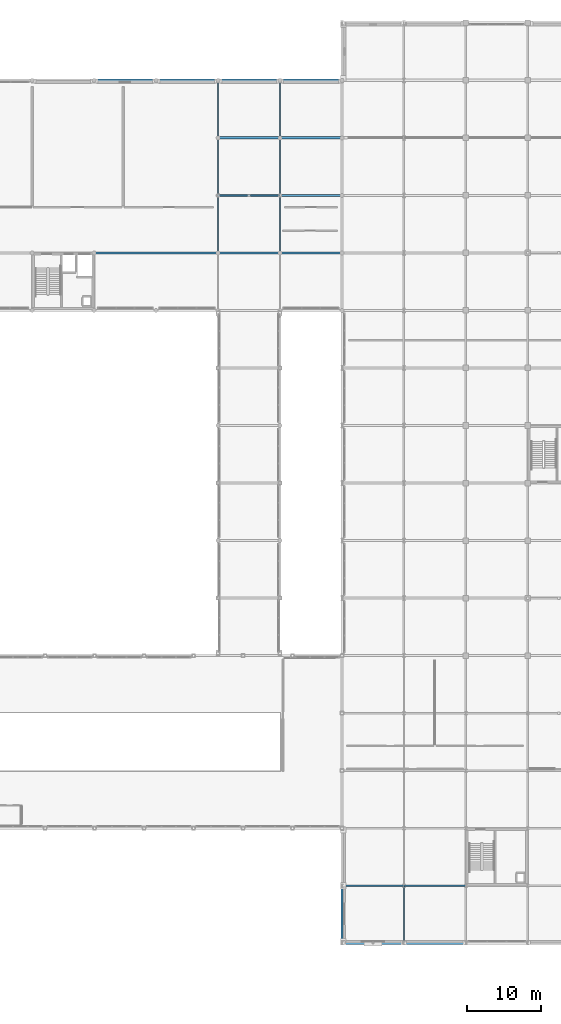
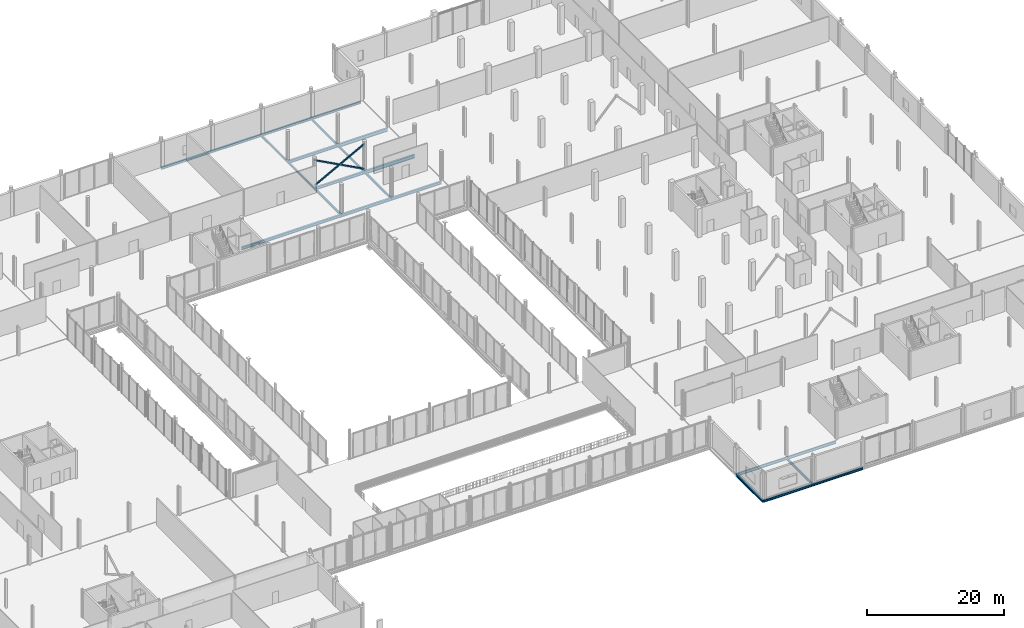
# One storey, part 52 of 105: 23 beams, 3 members.
"""IFC4 building model written with IfcOpenShell, lengths in metres."""

import ifcopenshell
import ifcopenshell.guid

model = None  # the IFC model being written
_history = None  # IfcOwnerHistory: only IFC2X3 demands one
_inside = {}  # id of a spatial element -> (the spatial element, [elements in it])
_under = {}  # id of a project, library or spatial element -> (it, [spatial elements below it])
_declared = {}  # id of a project -> (the project, [libraries it declares])
_typed = {}  # id of a type object -> (the type object, [elements of that type])
_made_of = {}  # id of a material, layer set ... -> (it, [elements and type objects made of it])


def new_model(schema):
    """Start an empty IFC model of exactly this schema.

    Asked for "IFC4X3", IfcOpenShell would pick the latest addendum, in which some entities
    have other attributes; the version numbers below select the first issue.
    IFC2X3 requires an IfcOwnerHistory on every rooted entity: one is made here for all.
    """
    global model, _history
    if schema == "IFC4X3":
        model = ifcopenshell.file(schema_version=(4, 3, 0, 0))
    else:
        model = ifcopenshell.file(schema=schema)
    _inside.clear()
    _under.clear()
    _declared.clear()
    _typed.clear()
    _made_of.clear()
    _history = None
    if model.schema == "IFC2X3":
        org = make("IfcOrganization", Name="unknown")
        user = make(
            "IfcPersonAndOrganization",
            ThePerson=make("IfcPerson", FamilyName="unknown"),
            TheOrganization=org,
        )
        app = make(
            "IfcApplication",
            ApplicationDeveloper=org,
            Version="unknown",
            ApplicationFullName="unknown",
            ApplicationIdentifier="unknown",
        )
        _history = make(
            "IfcOwnerHistory",
            OwningUser=user,
            OwningApplication=app,
            ChangeAction="ADDED",
            CreationDate=0,
        )
    return model


def make(cls, **values):
    """One entity of the class cls with the attributes given. An attribute that is None is left unset."""
    return model.create_entity(
        cls, **{name: value for name, value in values.items() if value is not None}
    )


def rooted(cls, **values):
    """An entity with a GlobalId (a new one), such as an element, a storey or a relation."""
    return make(cls, GlobalId=ifcopenshell.guid.new(), OwnerHistory=_history, **values)


def si_unit(unit_type, name, prefix=None):
    """IfcSIUnit, for example si_unit("LENGTHUNIT", "METRE", prefix="MILLI")."""
    return make("IfcSIUnit", UnitType=unit_type, Prefix=prefix, Name=name)


def assignment(units):
    """IfcUnitAssignment: the units of a project."""
    return None if units is None else make("IfcUnitAssignment", Units=units)


def point(xyz):
    """IfcCartesianPoint."""
    return None if xyz is None else make("IfcCartesianPoint", Coordinates=xyz)


def direction(xyz):
    """IfcDirection."""
    return None if xyz is None else make("IfcDirection", DirectionRatios=xyz)


def frame(location, z_axis=None, x_axis=None):
    """IfcAxis2Placement3D, a coordinate frame: its origin and axes. An axis left out is left unset."""
    return make(
        "IfcAxis2Placement3D",
        Location=point(location),
        Axis=direction(z_axis),
        RefDirection=direction(x_axis),
    )


def frame_2d(location, x_axis=None):
    """IfcAxis2Placement2D, a coordinate frame in the plane: its origin and x axis."""
    return make(
        "IfcAxis2Placement2D", Location=point(location), RefDirection=direction(x_axis)
    )


def origin():
    """The frame at (0, 0, 0) with its axes left unset."""
    return frame((0.0, 0.0, 0.0))


def origin_2d():
    """The frame at (0, 0) in the plane with its x axis left unset."""
    return frame_2d((0.0, 0.0))


def place(relative_to, where):
    """IfcLocalPlacement: puts the frame where relative to a parent placement (None: the world)."""
    return make(
        "IfcLocalPlacement", PlacementRelTo=relative_to, RelativePlacement=where
    )


def context(
    kind, dimensions, precision=None, world=None, true_north=None, identifier=None
):
    """IfcGeometricRepresentationContext, for example the 3D "Model" context."""
    return make(
        "IfcGeometricRepresentationContext",
        ContextIdentifier=identifier,
        ContextType=kind,
        CoordinateSpaceDimension=dimensions,
        Precision=precision,
        WorldCoordinateSystem=world,
        TrueNorth=true_north,
    )


def subcontext(parent, identifier, kind, view, scale=None):
    """IfcGeometricRepresentationSubContext, for example "Body" below "Model"."""
    return make(
        "IfcGeometricRepresentationSubContext",
        ContextIdentifier=identifier,
        ContextType=kind,
        ParentContext=parent,
        TargetScale=scale,
        TargetView=view,
    )


def project(units=None, contexts=None):
    """IfcProject with its units and contexts."""
    return rooted(
        "IfcProject",
        Name="project",
        RepresentationContexts=contexts,
        UnitsInContext=assignment(units),
    )


def spatial(cls, under=None, at=None, **own):
    """A site, building, storey or space (cls), placed at a placement, below another one or the project."""
    s = rooted(cls, ObjectPlacement=at, **own)
    if under is not None:
        _under.setdefault(under.id(), (under, []))[1].append(s)
    return s


def profile(cls, at=None, kind="AREA", **sizes):
    """A parametric profile (cls). Its sizes go by their IFC names, for example OverallWidth=200.0."""
    return make(cls, ProfileType=kind, Position=at, **sizes)


def hollow_rectangle(**sizes):
    """IfcRectangleHollowProfileDef."""
    return profile("IfcRectangleHollowProfileDef", **sizes)


def i_section(**sizes):
    """IfcIShapeProfileDef."""
    return profile("IfcIShapeProfileDef", **sizes)


def extrude(swept, where, along, depth):
    """IfcExtrudedAreaSolid: the profile swept, set in the frame where, extruded along a direction by depth."""
    return make(
        "IfcExtrudedAreaSolid",
        SweptArea=swept,
        Position=where,
        ExtrudedDirection=direction(along),
        Depth=depth,
    )


def shape(context_of_items, identifier, shape_type, items):
    """IfcShapeRepresentation: the items that make up one representation, for example the "Body"."""
    return make(
        "IfcShapeRepresentation",
        ContextOfItems=context_of_items,
        RepresentationIdentifier=identifier,
        RepresentationType=shape_type,
        Items=items,
    )


def material(Name=None, Category=None):
    """IfcMaterial."""
    return make("IfcMaterial", Name=Name, Category=Category)


def material_profile(
    of_material, cross_section, Name=None, Category=None, Priority=None
):
    """IfcMaterialProfile: a cross section and its material."""
    return make(
        "IfcMaterialProfile",
        Name=Name,
        Material=of_material,
        Profile=cross_section,
        Priority=Priority,
        Category=Category,
    )


def profile_set(profiles, Name=None, composite=None):
    """IfcMaterialProfileSet."""
    return make(
        "IfcMaterialProfileSet",
        Name=Name,
        MaterialProfiles=profiles,
        CompositeProfile=composite,
    )


def made_of(thing, what):
    """Note that an element or type object is made of a material, layer set ...; save() writes the relation."""
    if what is not None:
        _made_of.setdefault(what.id(), (what, []))[1].append(thing)
    return thing


def type_object(cls, material=None, **own):
    """A type object (cls), such as IfcWallType, which elements share."""
    return made_of(rooted(cls, **own), material)


def element(
    cls,
    number,
    at=None,
    inside=None,
    cuts=None,
    type_object=None,
    material=None,
    context=None,
    identifier="Body",
    shape_type=None,
    held_by="IfcProductDefinitionShape",
    body=None,
    shapes=None,
    **own,
):
    """One element of the class cls, such as IfcWall. Its Tag is "e" and its number.

    at: its placement. inside: the storey or other place that contains it. cuts: it is an
    opening in that element (IfcRelVoidsElement). A single representation is given by context,
    identifier, shape_type and body (its items); several are given by shapes. held_by: the class
    of the entity that holds the representations. save() writes the other relations.
    """
    e = rooted(cls, Tag="e%d" % number, ObjectPlacement=at, **own)
    if body is not None:
        shapes = [shape(context, identifier, shape_type, body)]
    if shapes is not None:
        e.Representation = make(held_by, Representations=shapes)
    if inside is not None:
        _inside.setdefault(inside.id(), (inside, []))[1].append(e)
    if cuts is not None:
        rooted(
            "IfcRelVoidsElement", RelatingBuildingElement=cuts, RelatedOpeningElement=e
        )
    if type_object is not None:
        _typed.setdefault(type_object.id(), (type_object, []))[1].append(e)
    return made_of(e, material)


def aggregate(whole, parts):
    """IfcRelAggregates: a whole, such as a stair, and the parts it consists of."""
    return rooted("IfcRelAggregates", RelatingObject=whole, RelatedObjects=parts)


def save(model, path):
    """Write the relations noted so far, then the file.

    IfcRelAggregates (storeys below a building ...), IfcRelContainedInSpatialStructure (elements
    in a storey), IfcRelDefinesByType, IfcRelAssociatesMaterial and IfcRelDeclares: one each for
    every whole, place, type object, material and project.
    """
    for whole, parts in _under.values():
        aggregate(whole, parts)
    for where, things in _inside.values():
        rooted(
            "IfcRelContainedInSpatialStructure",
            RelatedElements=things,
            RelatingStructure=where,
        )
    for kind, things in _typed.values():
        rooted("IfcRelDefinesByType", RelatedObjects=things, RelatingType=kind)
    for what, things in _made_of.values():
        rooted("IfcRelAssociatesMaterial", RelatedObjects=things, RelatingMaterial=what)
    for by, libraries in _declared.values():
        rooted("IfcRelDeclares", RelatingContext=by, RelatedDefinitions=libraries)
    model.write(path)


model = new_model("IFC4")

# Units and contexts
model_context = context("Model", 3, precision=1e-05, world=origin(), true_north=direction((0.0, 1.0)))
body_context = subcontext(model_context, "Body", "Model", "MODEL_VIEW")
ifc_project = project(units=[si_unit("LENGTHUNIT", "METRE"), si_unit("AREAUNIT", "SQUARE_METRE"), si_unit("VOLUMEUNIT", "CUBIC_METRE"), si_unit("PLANEANGLEUNIT", "RADIAN"), si_unit("MASSUNIT", "GRAM", prefix="KILO")], contexts=[model_context])

# Site, building, storey
site_placement = place(None, origin())
site = spatial("IfcSite", under=ifc_project, at=site_placement, CompositionType="ELEMENT")
building_placement = place(site_placement, origin())
building = spatial("IfcBuilding", under=site, at=building_placement, Name="Nabrawat Pavilion Hospital", CompositionType="ELEMENT")
storey_placement = place(building_placement, frame((0.0, 0.0, 5.10009765625)))
storey = spatial("IfcBuildingStorey", under=building, at=storey_placement, Name="L01", CompositionType="ELEMENT", Elevation=5.10009765625)

# Beams
ifc_material = material(Name="Steel S355", Category="steel")
ifc_material_profile_1 = material_profile(ifc_material, i_section(OverallWidth=0.300048828125, OverallDepth=0.590087890625, WebThickness=0.012939453125, FlangeThickness=0.02490234375, FilletRadius=0.027099609375, at=origin_2d()), Name="HEA 600")
ifc_profile_set_1 = profile_set([ifc_material_profile_1], Name="Steel S355")
beam_type_1 = type_object("IfcBeamType", Name="Diagnostic Long-Span Girder HEA 600", PredefinedType="USERDEFINED", material=ifc_profile_set_1)
for number, where, z_axis, x_axis, name in (
    (1, (117.6201171875, 101.39990234375, -0.5751953125), (1.0, 0.0, 0.0), (0.0, 1.0, 0.0), "L01 Primary X Girder 644"),
    (2, (117.6201171875, 109.199951171875, -0.5751953125), (1.0, 0.0, 0.0), (0.0, 1.0, 0.0), "L01 Primary X Girder 656"),
):
    element("IfcBeam", number, at=place(storey_placement, frame(where, z_axis=z_axis, x_axis=x_axis)), inside=storey, type_object=beam_type_1, Name=name, ObjectType="GIRDER", PredefinedType="USERDEFINED", context=body_context, shape_type="SweptSolid", body=[
        extrude(i_section(OverallWidth=0.300048828125, OverallDepth=0.590087890625, WebThickness=0.012939453125, FlangeThickness=0.02490234375, FilletRadius=0.027099609375, at=origin_2d()), origin(), (0.0, 0.0, 1.0), 8.35986328125),
    ])

# Members
ifc_material_profile_2 = material_profile(ifc_material, hollow_rectangle(XDim=0.199951171875, YDim=0.199951171875, WallThickness=0.012451171875, at=origin_2d()), Name="SHS 200x200x12.5")
ifc_profile_set_2 = profile_set([ifc_material_profile_2], Name="Steel S355")
member_type = type_object("IfcMemberType", Name="Mid Seismic Chevron Brace SHS 200x200x12.5", PredefinedType="BRACE", material=ifc_profile_set_2)
member_placement = place(storey_placement, frame((109.199951171875, 101.39990234375, 0.0498046875), z_axis=(0.881483397762, 0.0, 0.472215014025), x_axis=(0.0, 1.0, 0.0)))
element("IfcMember", 3, at=member_placement, inside=storey, type_object=member_type, Name="L01 Seismic Continuous X-Brace Diagonal 019", PredefinedType="BRACE", context=body_context, shape_type="SweptSolid", body=[
    extrude(hollow_rectangle(XDim=0.199951171875, YDim=0.199951171875, WallThickness=0.012451171875, at=origin_2d()), origin(), (0.0, 0.0, 1.0), 9.529541015625),
])
for number, where, z_axis, x_axis, name in (
    (4, (109.199951171875, 101.39990234375, 4.5498046875), (0.88148781778, 0.0, -0.472206763088), (0.0, 1.0, 0.0), "L01 Seismic Split X-Brace Upper Segment 020"),
    (5, (113.5234375, 101.39990234375, 2.23388671875), (0.881465843816, 0.0, -0.472247780499), (0.0, 1.0, 0.0), "L01 Seismic Split X-Brace Lower Segment 021"),
):
    element("IfcMember", number, at=place(storey_placement, frame(where, z_axis=z_axis, x_axis=x_axis)), inside=storey, type_object=member_type, Name=name, PredefinedType="BRACE", context=body_context, shape_type="SweptSolid", body=[
        extrude(hollow_rectangle(XDim=0.199951171875, YDim=0.199951171875, WallThickness=0.012451171875, at=origin_2d()), origin(), (0.0, 0.0, 1.0), 4.624755859375),
    ])

# Beams
ifc_material_profile_3 = material_profile(ifc_material, i_section(OverallWidth=0.300048828125, OverallDepth=0.389892578125, WebThickness=0.010986328125, FlangeThickness=0.01904296875, FilletRadius=0.027099609375, at=origin_2d()), Name="HEA 400")
ifc_profile_set_3 = profile_set([ifc_material_profile_3], Name="Steel S355")
beam_type_2 = type_object("IfcBeamType", Name="Perimeter Moment Spandrel Beam HEA 400", PredefinedType="SPANDREL", material=ifc_profile_set_3)
beam_1_placement = place(storey_placement, frame((126.02001953125, 0.0, -0.425048828125), z_axis=(1.0, 0.0, 0.0), x_axis=(0.0, 1.0, 0.0)))
element("IfcBeam", 6, at=beam_1_placement, inside=storey, type_object=beam_type_2, Name="L01 Primary X Girder 456", PredefinedType="SPANDREL", context=body_context, shape_type="SweptSolid", body=[
    extrude(i_section(OverallWidth=0.300048828125, OverallDepth=0.389892578125, WebThickness=0.010986328125, FlangeThickness=0.01904296875, FilletRadius=0.027099609375, at=origin_2d()), origin(), (0.0, 0.0, 1.0), 8.35986328125),
])
for number, where, z_axis, x_axis, name in (
    (7, (134.419921875, 0.0, -0.425048828125), (1.0, 0.0, 0.0), (0.0, 1.0, 0.0), "L01 Primary X Girder 457"),
    (8, (92.419921875, 117.0, -0.47509765625), (1.0, 0.0, 0.0), (0.0, 1.0, 0.0), "L01 Primary X Girder 674"),
):
    element("IfcBeam", number, at=place(storey_placement, frame(where, z_axis=z_axis, x_axis=x_axis)), inside=storey, type_object=beam_type_2, Name=name, PredefinedType="SPANDREL", context=body_context, shape_type="SweptSolid", body=[
        extrude(i_section(OverallWidth=0.300048828125, OverallDepth=0.389892578125, WebThickness=0.010986328125, FlangeThickness=0.01904296875, FilletRadius=0.027099609375, at=origin_2d()), origin(), (0.0, 0.0, 1.0), 8.360107421875),
    ])
beam_2_placement = place(storey_placement, frame((100.820068359375, 117.0, -0.47509765625), z_axis=(1.0, 0.0, 0.0), x_axis=(0.0, 1.0, 0.0)))
element("IfcBeam", 9, at=beam_2_placement, inside=storey, type_object=beam_type_2, Name="L01 Primary X Girder 675", PredefinedType="SPANDREL", context=body_context, shape_type="SweptSolid", body=[
    extrude(i_section(OverallWidth=0.300048828125, OverallDepth=0.389892578125, WebThickness=0.010986328125, FlangeThickness=0.01904296875, FilletRadius=0.027099609375, at=origin_2d()), origin(), (0.0, 0.0, 1.0), 8.35986328125),
])
beam_3_placement = place(storey_placement, frame((109.219970703125, 117.0, -0.47509765625), z_axis=(1.0, 0.0, 0.0), x_axis=(0.0, 1.0, 0.0)))
element("IfcBeam", 10, at=beam_3_placement, inside=storey, type_object=beam_type_2, Name="L01 Primary X Girder 676", PredefinedType="SPANDREL", context=body_context, shape_type="SweptSolid", body=[
    extrude(i_section(OverallWidth=0.300048828125, OverallDepth=0.389892578125, WebThickness=0.010986328125, FlangeThickness=0.01904296875, FilletRadius=0.027099609375, at=origin_2d()), origin(), (0.0, 0.0, 1.0), 8.360107421875),
])
beam_4_placement = place(storey_placement, frame((117.6201171875, 117.0, -0.47509765625), z_axis=(1.0, 0.0, 0.0), x_axis=(0.0, 1.0, 0.0)))
element("IfcBeam", 11, at=beam_4_placement, inside=storey, type_object=beam_type_2, Name="L01 Primary X Girder 677", PredefinedType="SPANDREL", context=body_context, shape_type="SweptSolid", body=[
    extrude(i_section(OverallWidth=0.300048828125, OverallDepth=0.389892578125, WebThickness=0.010986328125, FlangeThickness=0.01904296875, FilletRadius=0.027099609375, at=origin_2d()), origin(), (0.0, 0.0, 1.0), 8.35986328125),
])
beam_5_placement = place(storey_placement, frame((126.0, 0.02001953125, -0.425048828125), z_axis=(0.0, 1.0, 0.0), x_axis=(-1.0, 0.0, 0.0)))
element("IfcBeam", 12, at=beam_5_placement, inside=storey, type_object=beam_type_2, Name="L01 Primary Y Beam 798", PredefinedType="SPANDREL", context=body_context, shape_type="SweptSolid", body=[
    extrude(i_section(OverallWidth=0.300048828125, OverallDepth=0.389892578125, WebThickness=0.010986328125, FlangeThickness=0.01904296875, FilletRadius=0.027099609375, at=origin_2d()), origin(), (0.0, 0.0, 1.0), 7.760009765625),
])
ifc_material_profile_4 = material_profile(ifc_material, i_section(OverallWidth=0.300048828125, OverallDepth=0.489990234375, WebThickness=0.011962890625, FlangeThickness=0.02294921875, FilletRadius=0.027099609375, at=origin_2d()), Name="HEA 500")
ifc_profile_set_4 = profile_set([ifc_material_profile_4], Name="Steel S355")
beam_type_3 = type_object("IfcBeamType", Name="Primary Floor Girder HEA 500", PredefinedType="USERDEFINED", material=ifc_profile_set_4)
beam_6_placement = place(storey_placement, frame((92.419921875, 93.60009765625, -0.525146484375), z_axis=(1.0, 0.0, 0.0), x_axis=(0.0, 1.0, 0.0)))
element("IfcBeam", 13, at=beam_6_placement, inside=storey, type_object=beam_type_3, Name="L01 Primary X Girder 629", ObjectType="GIRDER", PredefinedType="USERDEFINED", context=body_context, shape_type="SweptSolid", body=[
    extrude(i_section(OverallWidth=0.300048828125, OverallDepth=0.489990234375, WebThickness=0.011962890625, FlangeThickness=0.02294921875, FilletRadius=0.027099609375, at=origin_2d()), origin(), (0.0, 0.0, 1.0), 16.760009765625),
])
beam_7_placement = place(storey_placement, frame((109.219970703125, 93.60009765625, -0.525146484375), z_axis=(1.0, 0.0, 0.0), x_axis=(0.0, 1.0, 0.0)))
element("IfcBeam", 14, at=beam_7_placement, inside=storey, type_object=beam_type_3, Name="L01 Primary X Girder 630", ObjectType="GIRDER", PredefinedType="USERDEFINED", context=body_context, shape_type="SweptSolid", body=[
    extrude(i_section(OverallWidth=0.300048828125, OverallDepth=0.489990234375, WebThickness=0.011962890625, FlangeThickness=0.02294921875, FilletRadius=0.027099609375, at=origin_2d()), origin(), (0.0, 0.0, 1.0), 8.360107421875),
])
beam_8_placement = place(storey_placement, frame((117.6201171875, 93.60009765625, -0.525146484375), z_axis=(1.0, 0.0, 0.0), x_axis=(0.0, 1.0, 0.0)))
element("IfcBeam", 15, at=beam_8_placement, inside=storey, type_object=beam_type_3, Name="L01 Primary X Girder 631", ObjectType="GIRDER", PredefinedType="USERDEFINED", context=body_context, shape_type="SweptSolid", body=[
    extrude(i_section(OverallWidth=0.300048828125, OverallDepth=0.489990234375, WebThickness=0.011962890625, FlangeThickness=0.02294921875, FilletRadius=0.027099609375, at=origin_2d()), origin(), (0.0, 0.0, 1.0), 8.35986328125),
])
for number, where, z_axis, x_axis, name in (
    (16, (109.219970703125, 101.39990234375, -0.525146484375), (1.0, 0.0, 0.0), (0.0, 1.0, 0.0), "L01 Primary X Girder 643"),
    (17, (109.219970703125, 109.199951171875, -0.525146484375), (1.0, 0.0, 0.0), (0.0, 1.0, 0.0), "L01 Primary X Girder 655"),
):
    element("IfcBeam", number, at=place(storey_placement, frame(where, z_axis=z_axis, x_axis=x_axis)), inside=storey, type_object=beam_type_3, Name=name, ObjectType="GIRDER", PredefinedType="USERDEFINED", context=body_context, shape_type="SweptSolid", body=[
        extrude(i_section(OverallWidth=0.300048828125, OverallDepth=0.489990234375, WebThickness=0.011962890625, FlangeThickness=0.02294921875, FilletRadius=0.027099609375, at=origin_2d()), origin(), (0.0, 0.0, 1.0), 8.360107421875),
    ])
ifc_material_profile_5 = material_profile(ifc_material, i_section(OverallWidth=0.199951171875, OverallDepth=0.5, WebThickness=0.01025390625, FlangeThickness=0.01611328125, FilletRadius=0.02099609375, at=origin_2d()), Name="IPE 500")
ifc_profile_set_5 = profile_set([ifc_material_profile_5], Name="Steel S355")
beam_type_4 = type_object("IfcBeamType", Name="Standard X Floor Girder IPE 500", PredefinedType="USERDEFINED", material=ifc_profile_set_5)
beam_9_placement = place(storey_placement, frame((126.02001953125, 7.800048828125, -0.47998046875), z_axis=(1.0, 0.0, 0.0), x_axis=(0.0, 1.0, 0.0)))
element("IfcBeam", 18, at=beam_9_placement, inside=storey, type_object=beam_type_4, Name="L01 Primary X Girder 466", ObjectType="GIRDER", PredefinedType="USERDEFINED", context=body_context, shape_type="SweptSolid", body=[
    extrude(i_section(OverallWidth=0.199951171875, OverallDepth=0.5, WebThickness=0.01025390625, FlangeThickness=0.01611328125, FilletRadius=0.02099609375, at=origin_2d()), origin(), (0.0, 0.0, 1.0), 8.35986328125),
])
beam_10_placement = place(storey_placement, frame((134.419921875, 7.800048828125, -0.47998046875), z_axis=(1.0, 0.0, 0.0), x_axis=(0.0, 1.0, 0.0)))
element("IfcBeam", 19, at=beam_10_placement, inside=storey, type_object=beam_type_4, Name="L01 Primary X Girder 467", ObjectType="GIRDER", PredefinedType="USERDEFINED", context=body_context, shape_type="SweptSolid", body=[
    extrude(i_section(OverallWidth=0.199951171875, OverallDepth=0.5, WebThickness=0.01025390625, FlangeThickness=0.01611328125, FilletRadius=0.02099609375, at=origin_2d()), origin(), (0.0, 0.0, 1.0), 8.360107421875),
])
ifc_material_profile_6 = material_profile(ifc_material, i_section(OverallWidth=0.179931640625, OverallDepth=0.39990234375, WebThickness=0.008544921875, FlangeThickness=0.013427734375, FilletRadius=0.02099609375, at=origin_2d()), Name="IPE 400")
ifc_profile_set_6 = profile_set([ifc_material_profile_6], Name="Steel S355")
beam_type_5 = type_object("IfcBeamType", Name="Standard Y Floor Beam IPE 400", PredefinedType="BEAM", material=ifc_profile_set_6)
beam_11_placement = place(storey_placement, frame((109.199951171875, 93.6201171875, -0.47998046875), z_axis=(0.0, 1.0, 0.0), x_axis=(-1.0, 0.0, 0.0)))
element("IfcBeam", 20, at=beam_11_placement, inside=storey, type_object=beam_type_5, Name="L01 Primary Y Beam 786", PredefinedType="BEAM", context=body_context, shape_type="SweptSolid", body=[
    extrude(i_section(OverallWidth=0.179931640625, OverallDepth=0.39990234375, WebThickness=0.008544921875, FlangeThickness=0.013427734375, FilletRadius=0.02099609375, at=origin_2d()), origin(), (0.0, 0.0, 1.0), 7.759765625),
])
for number, where, z_axis, x_axis, name in (
    (21, (109.199951171875, 101.419921875, -0.47998046875), (0.0, 1.0, 0.0), (-1.0, 0.0, 0.0), "L01 Primary Y Beam 787"),
    (22, (109.199951171875, 109.219970703125, -0.47998046875), (0.0, 1.0, 0.0), (-1.0, 0.0, 0.0), "L01 Primary Y Beam 788"),
):
    element("IfcBeam", number, at=place(storey_placement, frame(where, z_axis=z_axis, x_axis=x_axis)), inside=storey, type_object=beam_type_5, Name=name, PredefinedType="BEAM", context=body_context, shape_type="SweptSolid", body=[
        extrude(i_section(OverallWidth=0.179931640625, OverallDepth=0.39990234375, WebThickness=0.008544921875, FlangeThickness=0.013427734375, FilletRadius=0.02099609375, at=origin_2d()), origin(), (0.0, 0.0, 1.0), 7.760009765625),
    ])
beam_12_placement = place(storey_placement, frame((117.60009765625, 93.6201171875, -0.47998046875), z_axis=(0.0, 1.0, 0.0), x_axis=(-1.0, 0.0, 0.0)))
element("IfcBeam", 23, at=beam_12_placement, inside=storey, type_object=beam_type_5, Name="L01 Primary Y Beam 795", PredefinedType="BEAM", context=body_context, shape_type="SweptSolid", body=[
    extrude(i_section(OverallWidth=0.179931640625, OverallDepth=0.39990234375, WebThickness=0.008544921875, FlangeThickness=0.013427734375, FilletRadius=0.02099609375, at=origin_2d()), origin(), (0.0, 0.0, 1.0), 7.759765625),
])
for number, where, z_axis, x_axis, name in (
    (24, (117.60009765625, 101.419921875, -0.47998046875), (0.0, 1.0, 0.0), (-1.0, 0.0, 0.0), "L01 Primary Y Beam 796"),
    (25, (117.60009765625, 109.219970703125, -0.47998046875), (0.0, 1.0, 0.0), (-1.0, 0.0, 0.0), "L01 Primary Y Beam 797"),
    (26, (134.39990234375, 0.02001953125, -0.43017578125), (0.0, 1.0, 0.0), (-1.0, 0.0, 0.0), "L01 Primary Y Beam 814"),
):
    element("IfcBeam", number, at=place(storey_placement, frame(where, z_axis=z_axis, x_axis=x_axis)), inside=storey, type_object=beam_type_5, Name=name, PredefinedType="BEAM", context=body_context, shape_type="SweptSolid", body=[
        extrude(i_section(OverallWidth=0.179931640625, OverallDepth=0.39990234375, WebThickness=0.008544921875, FlangeThickness=0.013427734375, FilletRadius=0.02099609375, at=origin_2d()), origin(), (0.0, 0.0, 1.0), 7.760009765625),
    ])

save(model, "model.ifc")
